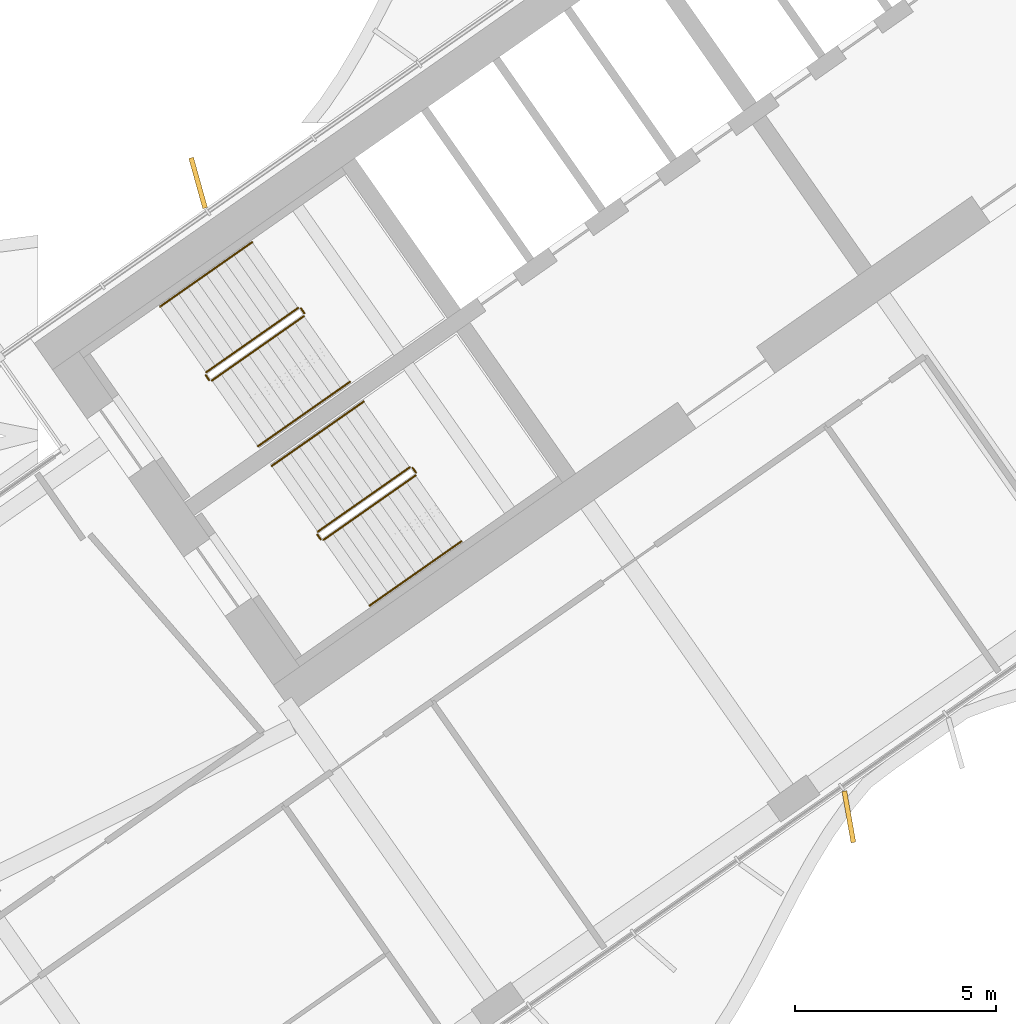
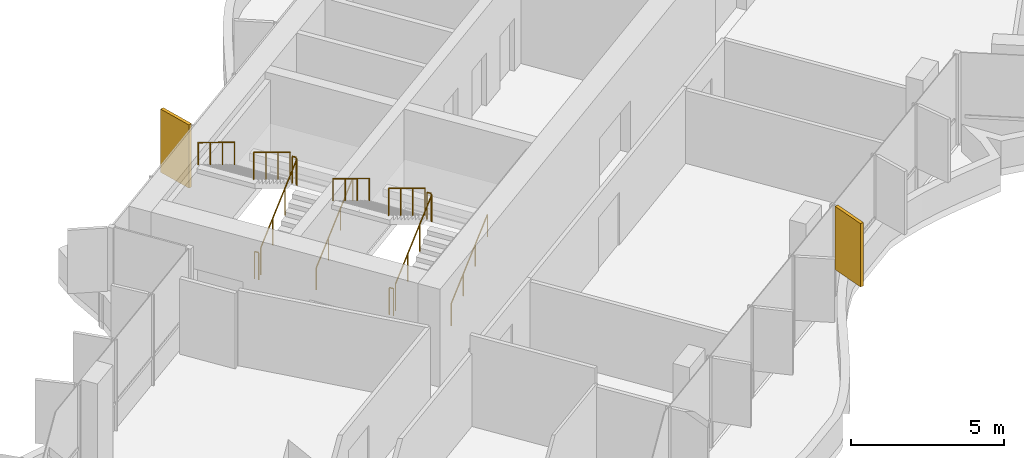
# One storey, part 18 of 21: 12 railings, 2 shading devices.
"""IFC4 building model written with IfcOpenShell, lengths in metres."""

from ifc_helpers import new_model, si_unit, direction, frame, origin, origin_2d, place, context, subcontext, project, spatial, rectangle, circle, extrude, material, layer, layer_set, type_object, element, save


model = new_model("IFC4")

# Units and contexts
model_context = context("Model", 3, precision=1e-05, world=origin(), true_north=direction((0.0, 1.0)))
body_context = subcontext(model_context, "Body", "Model", "MODEL_VIEW")
ifc_project = project(units=[si_unit("LENGTHUNIT", "METRE"), si_unit("AREAUNIT", "SQUARE_METRE"), si_unit("VOLUMEUNIT", "CUBIC_METRE"), si_unit("PLANEANGLEUNIT", "RADIAN"), si_unit("MASSUNIT", "GRAM", prefix="KILO")], contexts=[model_context])

# Site, building, storey
site_placement = place(None, origin())
site = spatial("IfcSite", under=ifc_project, at=site_placement, CompositionType="ELEMENT")
building_placement = place(site_placement, origin())
building = spatial("IfcBuilding", under=site, at=building_placement, Name="Tel Ilan Convention Tower", CompositionType="ELEMENT")
storey_placement = place(building_placement, frame((0.0, 0.0, 151.5)))
storey = spatial("IfcBuildingStorey", under=building, at=storey_placement, Name="L34", CompositionType="ELEMENT", Elevation=151.5)

# Shading devices
ifc_material_1 = material(Name="Aluminium, bronze anodised", Category="aluminium")
ifc_layer = layer(ifc_material_1, 0.1201171875)
ifc_layer_set = layer_set([ifc_layer], Name="FIN BRONZE 1300x120")
shading_device_type = type_object("IfcShadingDeviceType", Name="FIN BRONZE 1300x120", PredefinedType="USERDEFINED", material=ifc_layer_set)
for number, where, z_axis, x_axis, name in (
    (1, (-23.879150390625, -3.130126953125, 1.10009765625), (0.0, 0.0, 1.0), (-0.268172612768, 0.963370878614, 0.0), "FIN"),
    (2, (-7.657958984375, -18.929931640625, 1.10009765625), (0.0, 0.0, 1.0), (0.173648177667, -0.984807753012, 0.0), "FIN"),
):
    element("IfcShadingDevice", number, at=place(storey_placement, frame(where, z_axis=z_axis, x_axis=x_axis)), inside=storey, type_object=shading_device_type, Name=name, ObjectType="FIN", PredefinedType="USERDEFINED", context=body_context, shape_type="SweptSolid", body=[
        extrude(rectangle(XDim=1.300048828125, YDim=0.1201171875, at=origin_2d()), origin(), (0.0, 0.0, 1.0), 2.52001953125),
    ])

# Railings
ifc_material_2 = material(Name="Stainless Steel Grade 316", Category="steel")
railing_type_1 = type_object("IfcRailingType", Name="Stainless Steel Stair Guard 1100 mm", PredefinedType="GUARDRAIL", material=ifc_material_2)
railing_1_placement = place(storey_placement, frame((-23.535400390625, -8.056396484375, 0.17724609375)))
element("IfcRailing", 3, at=railing_1_placement, inside=storey, type_object=railing_type_1, Name="L34 S1 stair guard 1", PredefinedType="GUARDRAIL", context=body_context, shape_type="SweptSolid", body=[
    extrude(circle(Radius=0.02392578125, at=origin_2d()), frame((0.0, 0.0, 1.076171875), z_axis=(0.692098378994, 0.484653031975, 0.534893701956), x_axis=(-0.573608623498, 0.819129505664, 0.0)), (0.0, 0.0, 1.0), 3.314208984375),
    extrude(circle(Radius=0.02099609375, at=origin_2d()), origin(), (0.0, 0.0, 1.0), 1.052001953125),
    extrude(circle(Radius=0.02099609375, at=origin_2d()), frame((0.7646484375, 0.535400390625, 0.5908203125)), (0.0, 0.0, 1.0), 1.052001953125),
    extrude(circle(Radius=0.02099609375, at=origin_2d()), frame((1.529052734375, 1.07080078125, 1.181884765625)), (0.0, 0.0, 1.0), 1.052001953125),
    extrude(circle(Radius=0.02099609375, at=origin_2d()), frame((2.293701171875, 1.606201171875, 1.772705078125)), (0.0, 0.0, 1.0), 1.052001953125),
])
railing_2_placement = place(storey_placement, frame((-21.2294921875, -6.380615234375, 1.949951171875)))
element("IfcRailing", 4, at=railing_2_placement, inside=storey, type_object=railing_type_1, Name="L34 S1 stair guard 2", PredefinedType="GUARDRAIL", context=body_context, shape_type="SweptSolid", body=[
    extrude(circle(Radius=0.02392578125, at=origin_2d()), frame((0.0, 0.0, 1.076171875), z_axis=(-0.573353020881, 0.819308436089, 0.0), x_axis=(-0.819308436089, -0.573353020881, 0.0)), (0.0, 0.0, 1.0), 0.14990234375),
    extrude(circle(Radius=0.02099609375, at=origin_2d()), origin(), (0.0, 0.0, 1.0), 1.052001953125),
    extrude(circle(Radius=0.02099609375, at=origin_2d()), frame((-0.0859375, 0.122802734375, 0.0)), (0.0, 0.0, 1.0), 1.052001953125),
])
railing_3_placement = place(storey_placement, frame((-21.38525390625, -6.24560546875, 2.127197265625)))
element("IfcRailing", 5, at=railing_3_placement, inside=storey, type_object=railing_type_1, Name="L34 S1 stair guard 3", PredefinedType="GUARDRAIL", context=body_context, shape_type="SweptSolid", body=[
    extrude(circle(Radius=0.02392578125, at=origin_2d()), frame((0.0, 0.0, 1.076171875), z_axis=(-0.692084706163, -0.484621375041, 0.534940073605), x_axis=(0.573591086599, -0.819141785879, 0.0)), (0.0, 0.0, 1.0), 3.313720703125),
    extrude(circle(Radius=0.02099609375, at=origin_2d()), origin(), (0.0, 0.0, 1.0), 1.052001953125),
    extrude(circle(Radius=0.02099609375, at=origin_2d()), frame((-0.764404296875, -0.535400390625, 0.5908203125)), (0.0, 0.0, 1.0), 1.052001953125),
    extrude(circle(Radius=0.02099609375, at=origin_2d()), frame((-1.529052734375, -1.070556640625, 1.181884765625)), (0.0, 0.0, 1.0), 1.052001953125),
    extrude(circle(Radius=0.02099609375, at=origin_2d()), frame((-2.29345703125, -1.60595703125, 1.772705078125)), (0.0, 0.0, 1.0), 1.052001953125),
])
railing_4_placement = place(storey_placement, frame((-23.60498046875, -8.0439453125, 0.0)))
element("IfcRailing", 6, at=railing_4_placement, inside=storey, type_object=railing_type_1, Name="L34 S1 stair guard 4", PredefinedType="GUARDRAIL", context=body_context, shape_type="SweptSolid", body=[
    extrude(circle(Radius=0.02392578125, at=origin_2d()), frame((0.0, 0.0, 1.076171875), z_axis=(-0.574444878118, 0.818543268254, 0.0), x_axis=(-0.818543268254, -0.574444878118, 0.0)), (0.0, 0.0, 1.0), 0.150146484375),
    extrude(circle(Radius=0.02099609375, at=origin_2d()), origin(), (0.0, 0.0, 1.0), 1.052001953125),
    extrude(circle(Radius=0.02099609375, at=origin_2d()), frame((-0.086181640625, 0.122802734375, 0.0)), (0.0, 0.0, 1.0), 1.052001953125),
])
railing_5_placement = place(storey_placement, frame((-20.753662109375, -12.029296875, 0.17724609375)))
element("IfcRailing", 7, at=railing_5_placement, inside=storey, type_object=railing_type_1, Name="L34 S2 stair guard 1", PredefinedType="GUARDRAIL", context=body_context, shape_type="SweptSolid", body=[
    extrude(circle(Radius=0.02392578125, at=origin_2d()), frame((0.0, 0.0, 1.076171875), z_axis=(0.692098378994, 0.484653031975, 0.534893701956), x_axis=(-0.573608623498, 0.819129505664, 0.0)), (0.0, 0.0, 1.0), 3.314208984375),
    extrude(circle(Radius=0.02099609375, at=origin_2d()), origin(), (0.0, 0.0, 1.0), 1.052001953125),
    extrude(circle(Radius=0.02099609375, at=origin_2d()), frame((0.7646484375, 0.535400390625, 0.5908203125)), (0.0, 0.0, 1.0), 1.052001953125),
    extrude(circle(Radius=0.02099609375, at=origin_2d()), frame((1.529052734375, 1.07080078125, 1.181884765625)), (0.0, 0.0, 1.0), 1.052001953125),
    extrude(circle(Radius=0.02099609375, at=origin_2d()), frame((2.293701171875, 1.606201171875, 1.772705078125)), (0.0, 0.0, 1.0), 1.052001953125),
])
railing_6_placement = place(storey_placement, frame((-18.44775390625, -10.353515625, 1.949951171875)))
element("IfcRailing", 8, at=railing_6_placement, inside=storey, type_object=railing_type_1, Name="L34 S2 stair guard 2", PredefinedType="GUARDRAIL", context=body_context, shape_type="SweptSolid", body=[
    extrude(circle(Radius=0.02392578125, at=origin_2d()), frame((0.0, 0.0, 1.076171875), z_axis=(-0.573353020881, 0.819308436089, 0.0), x_axis=(-0.819308436089, -0.573353020881, 0.0)), (0.0, 0.0, 1.0), 0.14990234375),
    extrude(circle(Radius=0.02099609375, at=origin_2d()), origin(), (0.0, 0.0, 1.0), 1.052001953125),
    extrude(circle(Radius=0.02099609375, at=origin_2d()), frame((-0.0859375, 0.122802734375, 0.0)), (0.0, 0.0, 1.0), 1.052001953125),
])
railing_7_placement = place(storey_placement, frame((-18.603271484375, -10.218505859375, 2.127197265625)))
element("IfcRailing", 9, at=railing_7_placement, inside=storey, type_object=railing_type_1, Name="L34 S2 stair guard 3", PredefinedType="GUARDRAIL", context=body_context, shape_type="SweptSolid", body=[
    extrude(circle(Radius=0.02392578125, at=origin_2d()), frame((0.0, 0.0, 1.076171875), z_axis=(-0.692123088272, -0.484596665743, 0.534912798717), x_axis=(0.573550118428, -0.819170471667, 0.0)), (0.0, 0.0, 1.0), 3.31396484375),
    extrude(circle(Radius=0.02099609375, at=origin_2d()), origin(), (0.0, 0.0, 1.0), 1.052001953125),
    extrude(circle(Radius=0.02099609375, at=origin_2d()), frame((-0.7646484375, -0.535400390625, 0.5908203125)), (0.0, 0.0, 1.0), 1.052001953125),
    extrude(circle(Radius=0.02099609375, at=origin_2d()), frame((-1.529052734375, -1.070556640625, 1.181884765625)), (0.0, 0.0, 1.0), 1.052001953125),
    extrude(circle(Radius=0.02099609375, at=origin_2d()), frame((-2.293701171875, -1.60595703125, 1.772705078125)), (0.0, 0.0, 1.0), 1.052001953125),
])
railing_8_placement = place(storey_placement, frame((-20.8232421875, -12.016845703125, 0.0)))
element("IfcRailing", 10, at=railing_8_placement, inside=storey, type_object=railing_type_1, Name="L34 S2 stair guard 4", PredefinedType="GUARDRAIL", context=body_context, shape_type="SweptSolid", body=[
    extrude(circle(Radius=0.02392578125, at=origin_2d()), frame((0.0, 0.0, 1.076171875), z_axis=(-0.573353020881, 0.819308436089, 0.0), x_axis=(-0.819308436089, -0.573353020881, 0.0)), (0.0, 0.0, 1.0), 0.14990234375),
    extrude(circle(Radius=0.02099609375, at=origin_2d()), origin(), (0.0, 0.0, 1.0), 1.052001953125),
    extrude(circle(Radius=0.02099609375, at=origin_2d()), frame((-0.0859375, 0.122802734375, 0.0)), (0.0, 0.0, 1.0), 1.052001953125),
])
ifc_material_3 = material(Name="Stainless Steel Grade 316", Category="steel")
railing_type_2 = type_object("IfcRailingType", Name="Stainless Steel Stair Handrail 900 mm", PredefinedType="HANDRAIL", material=ifc_material_3)
railing_9_placement = place(storey_placement, frame((-22.38818359375, -9.694580078125, 0.17724609375)))
element("IfcRailing", 11, at=railing_9_placement, inside=storey, type_object=railing_type_2, Name="L34 S1 stair handrail 1", PredefinedType="HANDRAIL", context=body_context, shape_type="SweptSolid", body=[
    extrude(circle(Radius=0.02392578125, at=origin_2d()), frame((0.0, 0.0, 0.8759765625), z_axis=(0.692084706163, 0.484621375041, 0.534940073605), x_axis=(-0.573591086599, 0.819141785879, 0.0)), (0.0, 0.0, 1.0), 3.313720703125),
    extrude(circle(Radius=0.02099609375, at=origin_2d()), origin(), (0.0, 0.0, 1.0), 0.851806640625),
    extrude(circle(Radius=0.02099609375, at=origin_2d()), frame((0.764404296875, 0.535400390625, 0.5908203125)), (0.0, 0.0, 1.0), 0.851806640625),
    extrude(circle(Radius=0.02099609375, at=origin_2d()), frame((1.529052734375, 1.070556640625, 1.181884765625)), (0.0, 0.0, 1.0), 0.851806640625),
    extrude(circle(Radius=0.02099609375, at=origin_2d()), frame((2.29345703125, 1.60595703125, 1.772705078125)), (0.0, 0.0, 1.0), 0.851806640625),
])
railing_10_placement = place(storey_placement, frame((-22.5322265625, -4.607177734375, 2.127197265625)))
element("IfcRailing", 12, at=railing_10_placement, inside=storey, type_object=railing_type_2, Name="L34 S1 stair handrail 2", PredefinedType="HANDRAIL", context=body_context, shape_type="SweptSolid", body=[
    extrude(circle(Radius=0.02392578125, at=origin_2d()), frame((0.0, 0.0, 0.8759765625), z_axis=(-0.692123088272, -0.484596665743, 0.534912798717), x_axis=(0.573550118428, -0.819170471667, 0.0)), (0.0, 0.0, 1.0), 3.31396484375),
    extrude(circle(Radius=0.02099609375, at=origin_2d()), origin(), (0.0, 0.0, 1.0), 0.851806640625),
    extrude(circle(Radius=0.02099609375, at=origin_2d()), frame((-0.7646484375, -0.535400390625, 0.5908203125)), (0.0, 0.0, 1.0), 0.851806640625),
    extrude(circle(Radius=0.02099609375, at=origin_2d()), frame((-1.529052734375, -1.070556640625, 1.181884765625)), (0.0, 0.0, 1.0), 0.851806640625),
    extrude(circle(Radius=0.02099609375, at=origin_2d()), frame((-2.293701171875, -1.60595703125, 1.772705078125)), (0.0, 0.0, 1.0), 0.851806640625),
])
railing_11_placement = place(storey_placement, frame((-19.6064453125, -13.66748046875, 0.17724609375)))
element("IfcRailing", 13, at=railing_11_placement, inside=storey, type_object=railing_type_2, Name="L34 S2 stair handrail 1", PredefinedType="HANDRAIL", context=body_context, shape_type="SweptSolid", body=[
    extrude(circle(Radius=0.02392578125, at=origin_2d()), frame((0.0, 0.0, 0.8759765625), z_axis=(0.692123088272, 0.484596665743, 0.534912798717), x_axis=(-0.573550118428, 0.819170471667, 0.0)), (0.0, 0.0, 1.0), 3.31396484375),
    extrude(circle(Radius=0.02099609375, at=origin_2d()), origin(), (0.0, 0.0, 1.0), 0.851806640625),
    extrude(circle(Radius=0.02099609375, at=origin_2d()), frame((0.7646484375, 0.535400390625, 0.5908203125)), (0.0, 0.0, 1.0), 0.851806640625),
    extrude(circle(Radius=0.02099609375, at=origin_2d()), frame((1.529052734375, 1.070556640625, 1.181884765625)), (0.0, 0.0, 1.0), 0.851806640625),
    extrude(circle(Radius=0.02099609375, at=origin_2d()), frame((2.293701171875, 1.60595703125, 1.772705078125)), (0.0, 0.0, 1.0), 0.851806640625),
])
railing_12_placement = place(storey_placement, frame((-19.75048828125, -8.580078125, 2.127197265625)))
element("IfcRailing", 14, at=railing_12_placement, inside=storey, type_object=railing_type_2, Name="L34 S2 stair handrail 2", PredefinedType="HANDRAIL", context=body_context, shape_type="SweptSolid", body=[
    extrude(circle(Radius=0.02392578125, at=origin_2d()), frame((0.0, 0.0, 0.8759765625), z_axis=(-0.692123088272, -0.484596665743, 0.534912798717), x_axis=(0.573550118428, -0.819170471667, 0.0)), (0.0, 0.0, 1.0), 3.31396484375),
    extrude(circle(Radius=0.02099609375, at=origin_2d()), origin(), (0.0, 0.0, 1.0), 0.851806640625),
    extrude(circle(Radius=0.02099609375, at=origin_2d()), frame((-0.7646484375, -0.535400390625, 0.5908203125)), (0.0, 0.0, 1.0), 0.851806640625),
    extrude(circle(Radius=0.02099609375, at=origin_2d()), frame((-1.529052734375, -1.070556640625, 1.181884765625)), (0.0, 0.0, 1.0), 0.851806640625),
    extrude(circle(Radius=0.02099609375, at=origin_2d()), frame((-2.293701171875, -1.60595703125, 1.772705078125)), (0.0, 0.0, 1.0), 0.851806640625),
])

save(model, "model.ifc")
